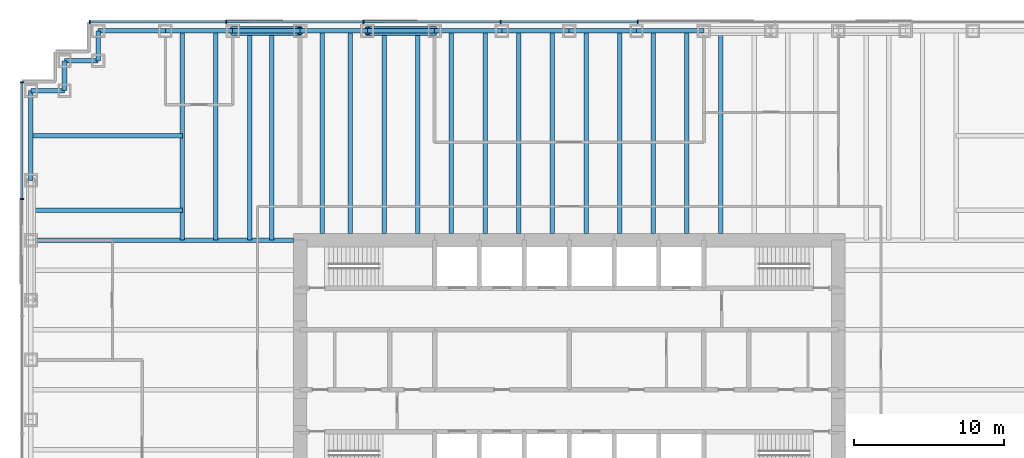
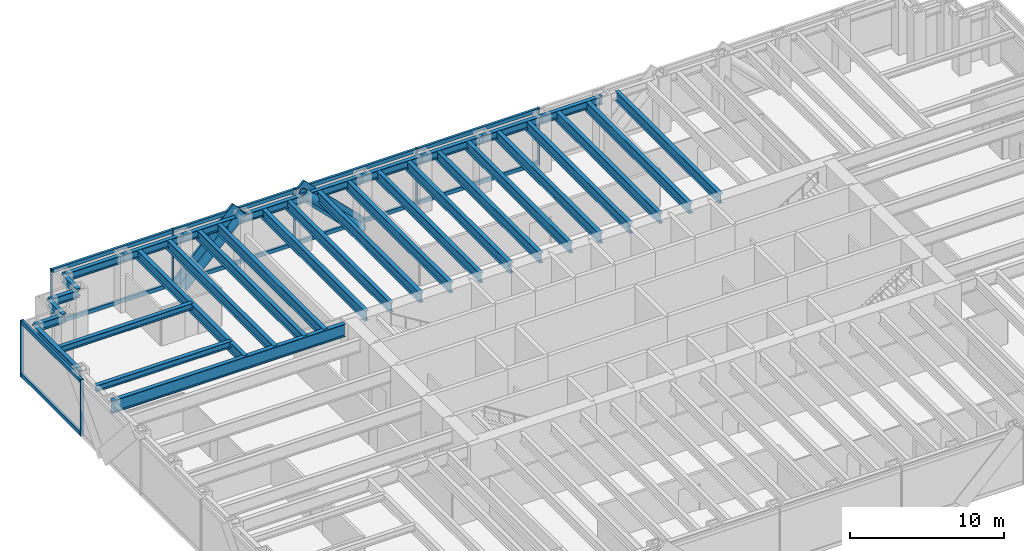
# One storey, part 5 of 13: 34 beams, 21 members, 2 elements without a shape of their own.
"""IFC4 building model written with IfcOpenShell, lengths in metres."""

from ifc_helpers import new_model, si_unit, direction, frame, origin, origin_2d, place, context, subcontext, project, spatial, rectangle, hollow_circle, i_section, extrude, material, material_profile, profile_set, type_object, element, aggregate, save


model = new_model("IFC4")

# Units and contexts
model_context = context("Model", 3, precision=1e-05, world=origin(), true_north=direction((0.0, 1.0)))
body_context = subcontext(model_context, "Body", "Model", "MODEL_VIEW")
ifc_project = project(units=[si_unit("LENGTHUNIT", "METRE"), si_unit("AREAUNIT", "SQUARE_METRE"), si_unit("VOLUMEUNIT", "CUBIC_METRE"), si_unit("PLANEANGLEUNIT", "RADIAN"), si_unit("MASSUNIT", "GRAM", prefix="KILO")], contexts=[model_context])

# Site, building, storey
site_placement = place(None, origin())
site = spatial("IfcSite", under=ifc_project, at=site_placement, CompositionType="ELEMENT")
building_placement = place(site_placement, origin())
building = spatial("IfcBuilding", under=site, at=building_placement, Name="Rheinbord Bourse Tower", CompositionType="ELEMENT")
storey_placement = place(building_placement, frame((0.0, 0.0, 72.5)))
storey = spatial("IfcBuildingStorey", under=building, at=storey_placement, Name="L15", CompositionType="ELEMENT", Elevation=72.5)

# Curtain wall, members
ifc_material_1 = material(Name="Dark glass and black aluminium", Category="aluminium")
curtain_wall_type = type_object("IfcCurtainWallType", Name="CW1 DARK GLASS CURTAIN WALL", PredefinedType="USERDEFINED", material=ifc_material_1)
curtain_wall_1_placement = place(storey_placement, origin())
curtain_wall_1 = element("IfcCurtainWall", 1, at=curtain_wall_1_placement, inside=storey, type_object=curtain_wall_type, Name="Curtain wall CW1 N L15", ObjectType="UNITISED CURTAIN WALL", PredefinedType="USERDEFINED")
ifc_material_2 = material(Name="Black anodised aluminium", Category="aluminium")
ifc_material_profile_1 = material_profile(ifc_material_2, rectangle(XDim=0.179931640625, YDim=1.2099609375, at=origin_2d()), Name="CW1 DIAGONAL MULLION 1210x180")
ifc_profile_set_1 = profile_set([ifc_material_profile_1], Name="Black anodised aluminium")
member_type_1 = type_object("IfcMemberType", Name="CW1 BLACK DIAGONAL MULLION", PredefinedType="USERDEFINED", material=ifc_profile_set_1)
member_1_placement = place(storey_placement, frame((13.5, 46.60009765625, 0.0), z_axis=(0.707106781187, 0.0, 0.707106781187), x_axis=(0.0, 1.0, 0.0)))
member_1 = element("IfcMember", 2, at=member_1_placement, type_object=member_type_1, Name="CW1 diagonal mullion b", ObjectType="DIAGONAL MULLION", PredefinedType="USERDEFINED", context=body_context, shape_type="SweptSolid", body=[
    extrude(rectangle(XDim=0.179931640625, YDim=1.2099609375, at=origin_2d()), origin(), (0.0, 0.0, 1.0), 6.364013671875),
])
member_2_placement = place(storey_placement, frame((27.0, 46.60009765625, 0.0), z_axis=(-0.707106781187, 0.0, 0.707106781187), x_axis=(0.0, -1.0, 0.0)))
member_2 = element("IfcMember", 3, at=member_2_placement, type_object=member_type_1, Name="CW1 diagonal mullion c", ObjectType="DIAGONAL MULLION", PredefinedType="USERDEFINED", context=body_context, shape_type="SweptSolid", body=[
    extrude(rectangle(XDim=0.179931640625, YDim=1.2099609375, at=origin_2d()), origin(), (0.0, 0.0, 1.0), 6.364013671875),
])
ifc_material_3 = material(Name="Black anodised aluminium", Category="aluminium")
ifc_material_profile_2 = material_profile(ifc_material_3, rectangle(XDim=0.25, YDim=0.080078125, at=origin_2d()), Name="CW1 MULLION 80x250")
ifc_profile_set_2 = profile_set([ifc_material_profile_2], Name="Black anodised aluminium")
member_type_2 = type_object("IfcMemberType", Name="CW1 BLACK MULLION", PredefinedType="MULLION", material=ifc_profile_set_2)
member_3_placement = place(storey_placement, frame((40.585693359375, 46.60009765625, 0.0), z_axis=(0.0, 0.0, 1.0), x_axis=(0.0, -1.0, 0.0)))
member_3 = element("IfcMember", 4, at=member_3_placement, type_object=member_type_2, Name="CW1 mullion 4", PredefinedType="MULLION", context=body_context, shape_type="SweptSolid", body=[
    extrude(rectangle(XDim=0.25, YDim=0.080078125, at=origin_2d()), origin(), (0.0, 0.0, 1.0), 4.5),
])
member_4_placement = place(storey_placement, frame((31.414306640625, 46.60009765625, 0.0), z_axis=(0.0, 0.0, 1.0), x_axis=(0.0, -1.0, 0.0)))
member_4 = element("IfcMember", 5, at=member_4_placement, type_object=member_type_2, Name="CW1 mullion 5", PredefinedType="MULLION", context=body_context, shape_type="SweptSolid", body=[
    extrude(rectangle(XDim=0.25, YDim=0.080078125, at=origin_2d()), origin(), (0.0, 0.0, 1.0), 4.5),
])
member_5_placement = place(storey_placement, frame((22.242919921875, 46.60009765625, 0.0), z_axis=(0.0, 0.0, 1.0), x_axis=(0.0, -1.0, 0.0)))
member_5 = element("IfcMember", 6, at=member_5_placement, type_object=member_type_2, Name="CW1 mullion 6", PredefinedType="MULLION", context=body_context, shape_type="SweptSolid", body=[
    extrude(rectangle(XDim=0.25, YDim=0.080078125, at=origin_2d()), origin(), (0.0, 0.0, 1.0), 4.5),
])
member_6_placement = place(storey_placement, frame((13.071533203125, 46.60009765625, 0.0), z_axis=(0.0, 0.0, 1.0), x_axis=(0.0, -1.0, 0.0)))
member_6 = element("IfcMember", 7, at=member_6_placement, type_object=member_type_2, Name="CW1 mullion 7", PredefinedType="MULLION", context=body_context, shape_type="SweptSolid", body=[
    extrude(rectangle(XDim=0.25, YDim=0.080078125, at=origin_2d()), origin(), (0.0, 0.0, 1.0), 4.5),
])
member_7_placement = place(storey_placement, frame((3.93994140625, 46.60009765625, 0.0), z_axis=(0.0, 0.0, 1.0), x_axis=(0.0, -1.0, 0.0)))
member_7 = element("IfcMember", 8, at=member_7_placement, type_object=member_type_2, Name="CW1 mullion 8", PredefinedType="MULLION", context=body_context, shape_type="SweptSolid", body=[
    extrude(rectangle(XDim=0.25, YDim=0.080078125, at=origin_2d()), origin(), (0.0, 0.0, 1.0), 4.5),
])

curtain_wall_2_placement = place(storey_placement, origin())
curtain_wall_2 = element("IfcCurtainWall", 9, at=curtain_wall_2_placement, inside=storey, type_object=curtain_wall_type, Name="Curtain wall CW1 W L15", ObjectType="UNITISED CURTAIN WALL", PredefinedType="USERDEFINED")
member_8_placement = place(storey_placement, frame((-0.60009765625, 42.56005859375, 0.0), z_axis=(0.0, 0.0, 1.0), x_axis=(1.0, 0.0, 0.0)))
member_8 = element("IfcMember", 10, at=member_8_placement, type_object=member_type_2, Name="CW1 mullion 1", PredefinedType="MULLION", context=body_context, shape_type="SweptSolid", body=[
    extrude(rectangle(XDim=0.25, YDim=0.080078125, at=origin_2d()), origin(), (0.0, 0.0, 1.0), 4.5),
])
member_9_placement = place(storey_placement, frame((-0.60009765625, 34.760009765625, 0.0), z_axis=(0.0, 0.0, 1.0), x_axis=(1.0, 0.0, 0.0)))
member_9 = element("IfcMember", 11, at=member_9_placement, type_object=member_type_2, Name="CW1 mullion 2", PredefinedType="MULLION", context=body_context, shape_type="SweptSolid", body=[
    extrude(rectangle(XDim=0.25, YDim=0.080078125, at=origin_2d()), origin(), (0.0, 0.0, 1.0), 4.5),
])

# Member
ifc_material_4 = material(Name="Black anodised aluminium", Category="aluminium")
ifc_material_profile_3 = material_profile(ifc_material_4, rectangle(XDim=0.179931640625, YDim=0.300048828125, at=origin_2d()), Name="CW1 TRANSOM 300x180")
ifc_profile_set_3 = profile_set([ifc_material_profile_3], Name="Black anodised aluminium")
member_type_3 = type_object("IfcMemberType", Name="CW1 BLACK TRANSOM", PredefinedType="USERDEFINED", material=ifc_profile_set_3)
member_10_placement = place(storey_placement, frame((40.545654296875, 46.60009765625, 0.14990234375), z_axis=(-1.0, 0.0, 0.0), x_axis=(0.0, -1.0, 0.0)))
member_10 = element("IfcMember", 12, at=member_10_placement, type_object=member_type_3, Name="CW1 transom 4.1", ObjectType="TRANSOM", PredefinedType="USERDEFINED", context=body_context, shape_type="SweptSolid", body=[
    extrude(rectangle(XDim=0.179931640625, YDim=0.300048828125, at=origin_2d()), origin(), (0.0, 0.0, 1.0), 9.09130859375),
])

member_11_placement = place(storey_placement, frame((40.545654296875, 46.60009765625, 4.35009765625), z_axis=(-1.0, 0.0, 0.0), x_axis=(0.0, -1.0, 0.0)))
member_11 = element("IfcMember", 13, at=member_11_placement, type_object=member_type_3, Name="CW1 transom 4.2", ObjectType="TRANSOM", PredefinedType="USERDEFINED", context=body_context, shape_type="SweptSolid", body=[
    extrude(rectangle(XDim=0.179931640625, YDim=0.300048828125, at=origin_2d()), origin(), (0.0, 0.0, 1.0), 9.09130859375),
])

member_12_placement = place(storey_placement, frame((31.374267578125, 46.60009765625, 0.14990234375), z_axis=(-1.0, 0.0, 0.0), x_axis=(0.0, -1.0, 0.0)))
member_12 = element("IfcMember", 14, at=member_12_placement, type_object=member_type_3, Name="CW1 transom 5.1", ObjectType="TRANSOM", PredefinedType="USERDEFINED", context=body_context, shape_type="SweptSolid", body=[
    extrude(rectangle(XDim=0.179931640625, YDim=0.300048828125, at=origin_2d()), origin(), (0.0, 0.0, 1.0), 9.09130859375),
])

member_13_placement = place(storey_placement, frame((31.374267578125, 46.60009765625, 4.35009765625), z_axis=(-1.0, 0.0, 0.0), x_axis=(0.0, -1.0, 0.0)))
member_13 = element("IfcMember", 15, at=member_13_placement, type_object=member_type_3, Name="CW1 transom 5.2", ObjectType="TRANSOM", PredefinedType="USERDEFINED", context=body_context, shape_type="SweptSolid", body=[
    extrude(rectangle(XDim=0.179931640625, YDim=0.300048828125, at=origin_2d()), origin(), (0.0, 0.0, 1.0), 9.09130859375),
])

member_14_placement = place(storey_placement, frame((22.202880859375, 46.60009765625, 0.14990234375), z_axis=(-1.0, 0.0, 0.0), x_axis=(0.0, -1.0, 0.0)))
member_14 = element("IfcMember", 16, at=member_14_placement, type_object=member_type_3, Name="CW1 transom 6.1", ObjectType="TRANSOM", PredefinedType="USERDEFINED", context=body_context, shape_type="SweptSolid", body=[
    extrude(rectangle(XDim=0.179931640625, YDim=0.300048828125, at=origin_2d()), origin(), (0.0, 0.0, 1.0), 9.091552734375),
])

member_15_placement = place(storey_placement, frame((22.202880859375, 46.60009765625, 4.35009765625), z_axis=(-1.0, 0.0, 0.0), x_axis=(0.0, -1.0, 0.0)))
member_15 = element("IfcMember", 17, at=member_15_placement, type_object=member_type_3, Name="CW1 transom 6.2", ObjectType="TRANSOM", PredefinedType="USERDEFINED", context=body_context, shape_type="SweptSolid", body=[
    extrude(rectangle(XDim=0.179931640625, YDim=0.300048828125, at=origin_2d()), origin(), (0.0, 0.0, 1.0), 9.091552734375),
])

member_16_placement = place(storey_placement, frame((13.031494140625, 46.60009765625, 0.14990234375), z_axis=(-1.0, 0.0, 0.0), x_axis=(0.0, -1.0, 0.0)))
member_16 = element("IfcMember", 18, at=member_16_placement, type_object=member_type_3, Name="CW1 transom 7.1", ObjectType="TRANSOM", PredefinedType="USERDEFINED", context=body_context, shape_type="SweptSolid", body=[
    extrude(rectangle(XDim=0.179931640625, YDim=0.300048828125, at=origin_2d()), origin(), (0.0, 0.0, 1.0), 9.051513671875),
])

member_17_placement = place(storey_placement, frame((13.031494140625, 46.60009765625, 4.35009765625), z_axis=(-1.0, 0.0, 0.0), x_axis=(0.0, -1.0, 0.0)))
member_17 = element("IfcMember", 19, at=member_17_placement, type_object=member_type_3, Name="CW1 transom 7.2", ObjectType="TRANSOM", PredefinedType="USERDEFINED", context=body_context, shape_type="SweptSolid", body=[
    extrude(rectangle(XDim=0.179931640625, YDim=0.300048828125, at=origin_2d()), origin(), (0.0, 0.0, 1.0), 9.051513671875),
])

aggregate(curtain_wall_1, [member_3, member_4, member_5, member_6, member_7, member_10, member_11, member_12, member_13, member_14, member_15, member_16, member_17, member_1, member_2])

member_18_placement = place(storey_placement, frame((-0.60009765625, 42.52001953125, 0.14990234375), z_axis=(0.0, -1.0, 0.0), x_axis=(1.0, 0.0, 0.0)))
member_18 = element("IfcMember", 20, at=member_18_placement, type_object=member_type_3, Name="CW1 transom 1.1", ObjectType="TRANSOM", PredefinedType="USERDEFINED", context=body_context, shape_type="SweptSolid", body=[
    extrude(rectangle(XDim=0.179931640625, YDim=0.300048828125, at=origin_2d()), origin(), (0.0, 0.0, 1.0), 7.719970703125),
])

member_19_placement = place(storey_placement, frame((-0.60009765625, 42.52001953125, 4.35009765625), z_axis=(0.0, -1.0, 0.0), x_axis=(1.0, 0.0, 0.0)))
member_19 = element("IfcMember", 21, at=member_19_placement, type_object=member_type_3, Name="CW1 transom 1.2", ObjectType="TRANSOM", PredefinedType="USERDEFINED", context=body_context, shape_type="SweptSolid", body=[
    extrude(rectangle(XDim=0.179931640625, YDim=0.300048828125, at=origin_2d()), origin(), (0.0, 0.0, 1.0), 7.719970703125),
])

aggregate(curtain_wall_2, [member_8, member_9, member_18, member_19])

# Beams
ifc_material_5 = material(Name="Steel S460", Category="steel")
ifc_material_profile_4 = material_profile(ifc_material_5, i_section(OverallWidth=0.300048828125, OverallDepth=0.800048828125, WebThickness=0.017578125, FlangeThickness=0.032958984375, at=origin_2d()), Name="HEB 800")
ifc_profile_set_4 = profile_set([ifc_material_profile_4], Name="Steel S460")
beam_type_1 = type_object("IfcBeamType", Name="FLOOR BEAM HEB 800", PredefinedType="BEAM", material=ifc_profile_set_4)
for number, where, z_axis, x_axis, name in (
    (22, (10.125, 46.0, 3.919921875), (0.0, -1.0, 0.0), (1.0, 0.0, 0.0), "Floor beam N-9a L16"),
    (23, (12.375, 46.0, 3.919921875), (0.0, -1.0, 0.0), (1.0, 0.0, 0.0), "Floor beam N-9b L16"),
    (24, (14.625, 46.0, 3.919921875), (0.0, -1.0, 0.0), (1.0, 0.0, 0.0), "Floor beam N-13.5a L16"),
    (25, (16.125, 46.0, 3.919921875), (0.0, -1.0, 0.0), (1.0, 0.0, 0.0), "Floor beam N-13.5b L16"),
):
    element("IfcBeam", number, at=place(storey_placement, frame(where, z_axis=z_axis, x_axis=x_axis)), inside=storey, type_object=beam_type_1, Name=name, PredefinedType="BEAM", context=body_context, shape_type="SweptSolid", body=[
        extrude(i_section(OverallWidth=0.300048828125, OverallDepth=0.800048828125, WebThickness=0.017578125, FlangeThickness=0.032958984375, at=origin_2d()), origin(), (0.0, 0.0, 1.0), 14.0),
    ])
for number, where, z_axis, x_axis, name in (
    (26, (19.5, 46.0, 3.919921875), (0.0, -1.0, 0.0), (1.0, 0.0, 0.0), "Floor beam N-18a L16"),
    (27, (21.375, 46.0, 3.919921875), (0.0, -1.0, 0.0), (1.0, 0.0, 0.0), "Floor beam N-18b L16"),
    (28, (23.625, 46.0, 3.919921875), (0.0, -1.0, 0.0), (1.0, 0.0, 0.0), "Floor beam N-22.5a L16"),
    (29, (25.875, 46.0, 3.919921875), (0.0, -1.0, 0.0), (1.0, 0.0, 0.0), "Floor beam N-22.5b L16"),
    (30, (28.125, 46.0, 3.919921875), (0.0, -1.0, 0.0), (1.0, 0.0, 0.0), "Floor beam N-27a L16"),
    (31, (30.375, 46.0, 3.919921875), (0.0, -1.0, 0.0), (1.0, 0.0, 0.0), "Floor beam N-27b L16"),
    (32, (32.625, 46.0, 3.919921875), (0.0, -1.0, 0.0), (1.0, 0.0, 0.0), "Floor beam N-31.5a L16"),
    (33, (34.875, 46.0, 3.919921875), (0.0, -1.0, 0.0), (1.0, 0.0, 0.0), "Floor beam N-31.5b L16"),
    (34, (37.125, 46.0, 3.919921875), (0.0, -1.0, 0.0), (1.0, 0.0, 0.0), "Floor beam N-36a L16"),
    (35, (39.375, 46.0, 3.919921875), (0.0, -1.0, 0.0), (1.0, 0.0, 0.0), "Floor beam N-36b L16"),
    (36, (41.625, 46.0, 3.919921875), (0.0, -1.0, 0.0), (1.0, 0.0, 0.0), "Floor beam N-40.5a L16"),
    (37, (43.875, 46.0, 3.919921875), (0.0, -1.0, 0.0), (1.0, 0.0, 0.0), "Floor beam N-40.5b L16"),
    (38, (46.125, 46.0, 3.919921875), (0.0, -1.0, 0.0), (1.0, 0.0, 0.0), "Floor beam N-45a L16"),
):
    element("IfcBeam", number, at=place(storey_placement, frame(where, z_axis=z_axis, x_axis=x_axis)), inside=storey, type_object=beam_type_1, Name=name, PredefinedType="BEAM", context=body_context, shape_type="SweptSolid", body=[
        extrude(i_section(OverallWidth=0.300048828125, OverallDepth=0.800048828125, WebThickness=0.017578125, FlangeThickness=0.032958984375, at=origin_2d()), origin(), (0.0, 0.0, 1.0), 13.550048828125),
    ])
ifc_material_6 = material(Name="Steel S460", Category="steel")
ifc_material_profile_5 = material_profile(ifc_material_6, i_section(OverallWidth=0.302001953125, OverallDepth=1.008056640625, WebThickness=0.02099609375, FlangeThickness=0.0400390625, at=origin_2d()), Name="HEM 1000")
ifc_profile_set_5 = profile_set([ifc_material_profile_5], Name="Steel S460")
beam_type_2 = type_object("IfcBeamType", Name="GIRDER HEM 1000", PredefinedType="BEAM", material=ifc_profile_set_5)
beam_1_placement = place(storey_placement, frame((0.0, 32.0, 3.81591796875), z_axis=(1.0, 0.0, 0.0), x_axis=(0.0, 1.0, 0.0)))
element("IfcBeam", 39, at=beam_1_placement, inside=storey, type_object=beam_type_2, Name="Girder west 32 L16", PredefinedType="BEAM", context=body_context, shape_type="SweptSolid", body=[
    extrude(i_section(OverallWidth=0.302001953125, OverallDepth=1.008056640625, WebThickness=0.02099609375, FlangeThickness=0.0400390625, at=origin_2d()), origin(), (0.0, 0.0, 1.0), 17.550048828125),
])

# Members
ifc_material_7 = material(Name="Steel S460", Category="steel")
ifc_material_profile_6 = material_profile(ifc_material_7, hollow_circle(Radius=0.304931640625, WallThickness=0.050048828125, at=origin_2d()), Name="CHS 610x50")
ifc_profile_set_6 = profile_set([ifc_material_profile_6], Name="Steel S460")
member_type_4 = type_object("IfcMemberType", Name="MEGABRACE CHS 610x50", PredefinedType="BRACE", material=ifc_profile_set_6)
for number, where, z_axis, x_axis, name in (
    (40, (13.5, 46.0, 0.0), (0.707106781187, 0.0, 0.707106781187), (0.0, 1.0, 0.0), "Megabrace N face line b L15"),
    (41, (27.0, 46.0, 0.0), (-0.707106781187, 0.0, 0.707106781187), (0.0, -1.0, 0.0), "Megabrace N face line c L15"),
):
    element("IfcMember", number, at=place(storey_placement, frame(where, z_axis=z_axis, x_axis=x_axis)), inside=storey, type_object=member_type_4, Name=name, PredefinedType="BRACE", context=body_context, shape_type="SweptSolid", body=[
        extrude(hollow_circle(Radius=0.304931640625, WallThickness=0.050048828125, at=origin_2d()), origin(), (0.0, 0.0, 1.0), 6.364013671875),
    ])

# Beams
ifc_material_8 = material(Name="Steel S460", Category="steel")
ifc_material_profile_7 = material_profile(ifc_material_8, i_section(OverallWidth=0.304931640625, OverallDepth=0.6201171875, WebThickness=0.02099609375, FlangeThickness=0.0400390625, at=origin_2d()), Name="HEM 600")
ifc_profile_set_7 = profile_set([ifc_material_profile_7], Name="Steel S460")
beam_type_3 = type_object("IfcBeamType", Name="SPANDREL HEM 600", PredefinedType="SPANDREL", material=ifc_profile_set_7)
for number, where, z_axis, x_axis, name in (
    (42, (45.0, 46.0, 4.010009765625), (-1.0, 0.0, 0.0), (0.0, -1.0, 0.0), "Spandrel N-45-N-40.5 under L16"),
    (43, (40.5, 46.0, 4.010009765625), (-1.0, 0.0, 0.0), (0.0, -1.0, 0.0), "Spandrel N-40.5-N-36 under L16"),
    (44, (36.0, 46.0, 4.010009765625), (-1.0, 0.0, 0.0), (0.0, -1.0, 0.0), "Spandrel N-36-N-31.5 under L16"),
    (45, (31.5, 46.0, 4.010009765625), (-1.0, 0.0, 0.0), (0.0, -1.0, 0.0), "Spandrel N-31.5-N-27 under L16"),
    (46, (27.0, 46.0, 4.010009765625), (-1.0, 0.0, 0.0), (0.0, -1.0, 0.0), "Spandrel N-27-N-22.5 under L16"),
    (47, (22.5, 46.0, 4.010009765625), (-1.0, 0.0, 0.0), (0.0, -1.0, 0.0), "Spandrel N-22.5-N-18 under L16"),
    (48, (18.0, 46.0, 4.010009765625), (-1.0, 0.0, 0.0), (0.0, -1.0, 0.0), "Spandrel N-18-N-13.5 under L16"),
    (49, (13.5, 46.0, 4.010009765625), (-1.0, 0.0, 0.0), (0.0, -1.0, 0.0), "Spandrel N-13.5-N-9 under L16"),
    (50, (9.0, 46.0, 4.010009765625), (-1.0, 0.0, 0.0), (0.0, -1.0, 0.0), "Spandrel N-9-NW-E under L16"),
):
    element("IfcBeam", number, at=place(storey_placement, frame(where, z_axis=z_axis, x_axis=x_axis)), inside=storey, type_object=beam_type_3, Name=name, PredefinedType="SPANDREL", context=body_context, shape_type="SweptSolid", body=[
        extrude(i_section(OverallWidth=0.304931640625, OverallDepth=0.6201171875, WebThickness=0.02099609375, FlangeThickness=0.0400390625, at=origin_2d()), origin(), (0.0, 0.0, 1.0), 4.5),
    ])
beam_2_placement = place(storey_placement, frame((4.5, 46.0, 4.010009765625), z_axis=(0.0, -1.0, 0.0), x_axis=(1.0, 0.0, 0.0)))
element("IfcBeam", 51, at=beam_2_placement, inside=storey, type_object=beam_type_3, Name="Spandrel NW-E-NW-D under L16", PredefinedType="SPANDREL", context=body_context, shape_type="SweptSolid", body=[
    extrude(i_section(OverallWidth=0.304931640625, OverallDepth=0.6201171875, WebThickness=0.02099609375, FlangeThickness=0.0400390625, at=origin_2d()), origin(), (0.0, 0.0, 1.0), 2.0),
])
beam_3_placement = place(storey_placement, frame((4.5, 44.0, 4.010009765625), z_axis=(-1.0, 0.0, 0.0), x_axis=(0.0, -1.0, 0.0)))
element("IfcBeam", 52, at=beam_3_placement, inside=storey, type_object=beam_type_3, Name="Spandrel NW-D-NW-C under L16", PredefinedType="SPANDREL", context=body_context, shape_type="SweptSolid", body=[
    extrude(i_section(OverallWidth=0.304931640625, OverallDepth=0.6201171875, WebThickness=0.02099609375, FlangeThickness=0.0400390625, at=origin_2d()), origin(), (0.0, 0.0, 1.0), 2.25),
])
beam_4_placement = place(storey_placement, frame((2.25, 44.0, 4.010009765625), z_axis=(0.0, -1.0, 0.0), x_axis=(1.0, 0.0, 0.0)))
element("IfcBeam", 53, at=beam_4_placement, inside=storey, type_object=beam_type_3, Name="Spandrel NW-C-NW-B under L16", PredefinedType="SPANDREL", context=body_context, shape_type="SweptSolid", body=[
    extrude(i_section(OverallWidth=0.304931640625, OverallDepth=0.6201171875, WebThickness=0.02099609375, FlangeThickness=0.0400390625, at=origin_2d()), origin(), (0.0, 0.0, 1.0), 2.0),
])
beam_5_placement = place(storey_placement, frame((2.25, 42.0, 4.010009765625), z_axis=(-1.0, 0.0, 0.0), x_axis=(0.0, -1.0, 0.0)))
element("IfcBeam", 54, at=beam_5_placement, inside=storey, type_object=beam_type_3, Name="Spandrel NW-B-NW-A under L16", PredefinedType="SPANDREL", context=body_context, shape_type="SweptSolid", body=[
    extrude(i_section(OverallWidth=0.304931640625, OverallDepth=0.6201171875, WebThickness=0.02099609375, FlangeThickness=0.0400390625, at=origin_2d()), origin(), (0.0, 0.0, 1.0), 2.25),
])
beam_6_placement = place(storey_placement, frame((0.0, 42.0, 4.010009765625), z_axis=(0.0, -1.0, 0.0), x_axis=(1.0, 0.0, 0.0)))
element("IfcBeam", 55, at=beam_6_placement, inside=storey, type_object=beam_type_3, Name="Spandrel NW-A-W-36 under L16", PredefinedType="SPANDREL", context=body_context, shape_type="SweptSolid", body=[
    extrude(i_section(OverallWidth=0.304931640625, OverallDepth=0.6201171875, WebThickness=0.02099609375, FlangeThickness=0.0400390625, at=origin_2d()), origin(), (0.0, 0.0, 1.0), 6.0),
])
ifc_material_9 = material(Name="Steel S460", Category="steel")
ifc_material_profile_8 = material_profile(ifc_material_9, i_section(OverallWidth=0.300048828125, OverallDepth=0.5, WebThickness=0.014404296875, FlangeThickness=0.028076171875, at=origin_2d()), Name="HEB 500")
ifc_profile_set_8 = profile_set([ifc_material_profile_8], Name="Steel S460")
beam_type_4 = type_object("IfcBeamType", Name="TIE BEAM HEB 500", PredefinedType="JOIST", material=ifc_profile_set_8)
for number, where, z_axis, x_axis, name in (
    (56, (0.0, 34.0, 4.070068359375), (1.0, 0.0, 0.0), (0.0, 1.0, 0.0), "Tie west 34 L16"),
    (57, (0.0, 39.0, 4.070068359375), (1.0, 0.0, 0.0), (0.0, 1.0, 0.0), "Tie west 39 L16"),
):
    element("IfcBeam", number, at=place(storey_placement, frame(where, z_axis=z_axis, x_axis=x_axis)), inside=storey, type_object=beam_type_4, Name=name, PredefinedType="JOIST", context=body_context, shape_type="SweptSolid", body=[
        extrude(i_section(OverallWidth=0.300048828125, OverallDepth=0.5, WebThickness=0.014404296875, FlangeThickness=0.028076171875, at=origin_2d()), origin(), (0.0, 0.0, 1.0), 10.125),
    ])

save(model, "model.ifc")
